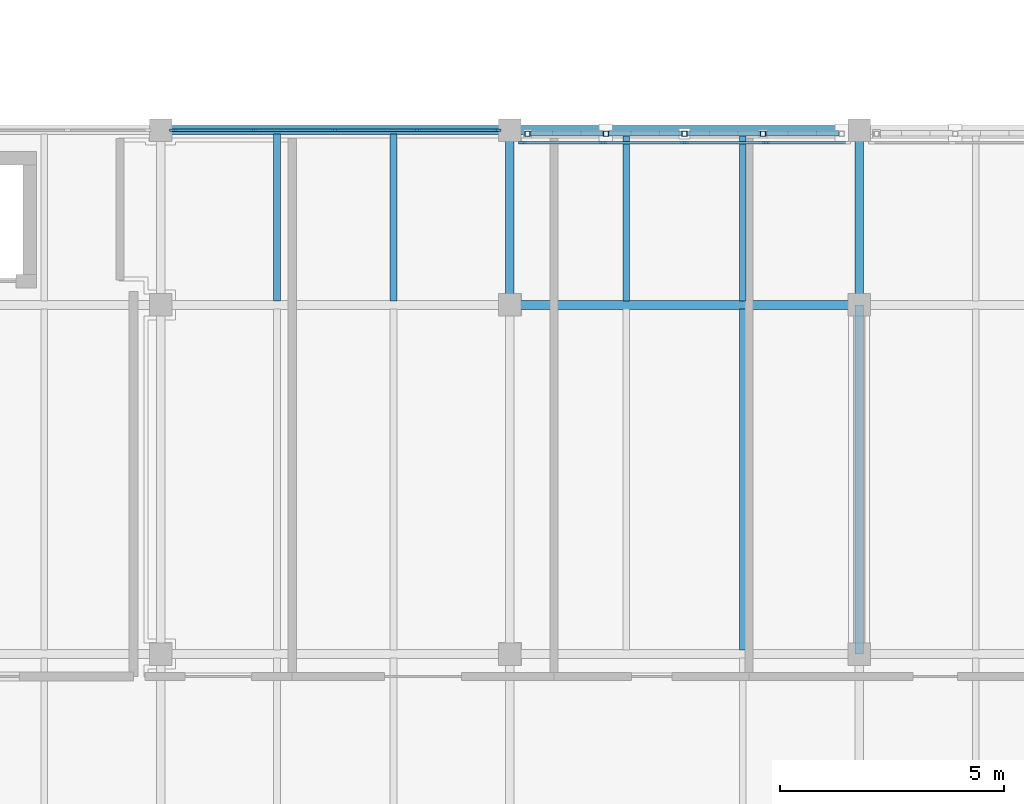
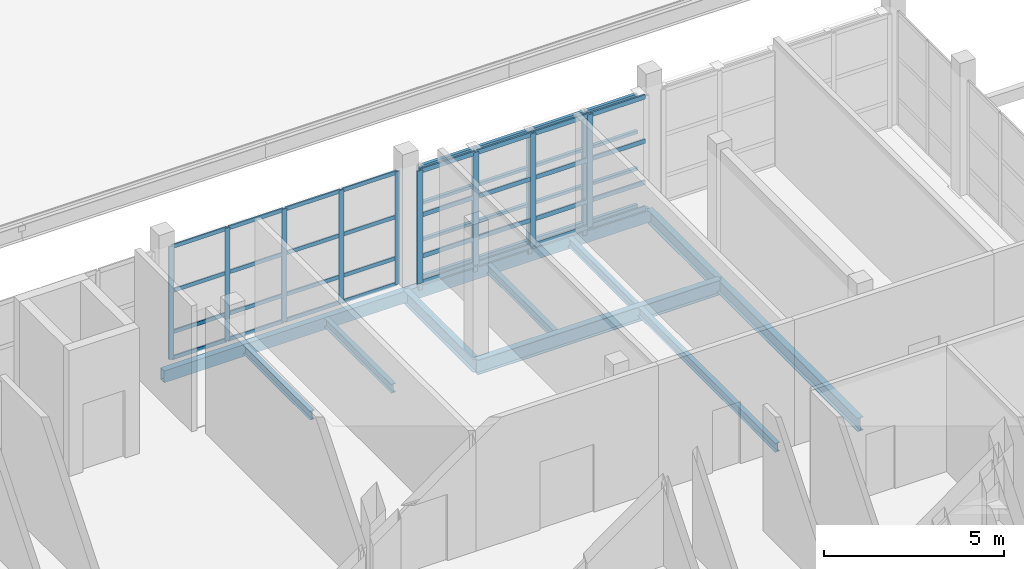
# One storey, part 7 of 89: 61 members, 11 beams, 2 elements without a shape of their own.
"""IFC4 building model written with IfcOpenShell, lengths in metres."""

from ifc_helpers import new_model, si_unit, direction, frame, origin, origin_2d, place, context, subcontext, project, spatial, rectangle, hollow_rectangle, i_section, extrude, material, layer, layer_set, material_profile, profile_set, type_object, element, aggregate, save


model = new_model("IFC4")

# Units and contexts
model_context = context("Model", 3, precision=1e-05, world=origin(), true_north=direction((0.0, 1.0)))
body_context = subcontext(model_context, "Body", "Model", "MODEL_VIEW")
ifc_project = project(units=[si_unit("LENGTHUNIT", "METRE"), si_unit("AREAUNIT", "SQUARE_METRE"), si_unit("VOLUMEUNIT", "CUBIC_METRE"), si_unit("PLANEANGLEUNIT", "RADIAN"), si_unit("MASSUNIT", "GRAM", prefix="KILO")], contexts=[model_context])

# Site, building, storey
site_placement = place(None, origin())
site = spatial("IfcSite", under=ifc_project, at=site_placement, CompositionType="ELEMENT")
building_placement = place(site_placement, origin())
building = spatial("IfcBuilding", under=site, at=building_placement, Name="Celorna Specialist Clinic", CompositionType="ELEMENT")
storey_placement = place(building_placement, frame((0.0, 0.0, 14.10009765625)))
storey = spatial("IfcBuildingStorey", under=building, at=storey_placement, Name="L03", CompositionType="ELEMENT", Elevation=14.10009765625)

# Beams
ifc_material_1 = material(Name="Steel S355", Category="steel")
ifc_material_profile_1 = material_profile(ifc_material_1, i_section(OverallWidth=0.199951171875, OverallDepth=0.5, WebThickness=0.01025390625, FlangeThickness=0.01611328125, at=origin_2d()), Name="IPE 500")
ifc_profile_set_1 = profile_set([ifc_material_profile_1], Name="Steel S355")
beam_type_1 = type_object("IfcBeamType", Name="BM-08", PredefinedType="BEAM", material=ifc_profile_set_1)
beam_1_placement = place(storey_placement, frame((23.39990234375, 23.39990234375, -0.510009765625), z_axis=(1.0, 0.0, 0.0), x_axis=(0.0, 1.0, 0.0)))
element("IfcBeam", 1, at=beam_1_placement, inside=storey, type_object=beam_type_1, Name="Primary girder BM-08 #1848", PredefinedType="BEAM", context=body_context, shape_type="SweptSolid", body=[
    extrude(i_section(OverallWidth=0.199951171875, OverallDepth=0.5, WebThickness=0.01025390625, FlangeThickness=0.01611328125, at=origin_2d()), origin(), (0.0, 0.0, 1.0), 7.800048828125),
])
ifc_material_profile_2 = material_profile(ifc_material_1, i_section(OverallWidth=0.18994140625, OverallDepth=0.449951171875, WebThickness=0.009521484375, FlangeThickness=0.0146484375, at=origin_2d()), Name="IPE 450")
ifc_profile_set_2 = profile_set([ifc_material_profile_2], Name="Steel S355")
beam_type_2 = type_object("IfcBeamType", Name="BM-09", PredefinedType="BEAM", material=ifc_profile_set_2)
beam_2_placement = place(storey_placement, frame((23.39990234375, 23.39990234375, -0.485107421875), z_axis=(0.0, 1.0, 0.0), x_axis=(-1.0, 0.0, 0.0)))
element("IfcBeam", 2, at=beam_2_placement, inside=storey, type_object=beam_type_2, Name="Transverse girder BM-09 #1874", PredefinedType="BEAM", context=body_context, shape_type="SweptSolid", body=[
    extrude(i_section(OverallWidth=0.18994140625, OverallDepth=0.449951171875, WebThickness=0.009521484375, FlangeThickness=0.0146484375, at=origin_2d()), origin(), (0.0, 0.0, 1.0), 3.900146484375),
])
beam_3_placement = place(storey_placement, frame((31.199951171875, 15.60009765625, -0.485107421875), z_axis=(0.0, 1.0, 0.0), x_axis=(-1.0, 0.0, 0.0)))
element("IfcBeam", 3, at=beam_3_placement, inside=storey, type_object=beam_type_2, Name="Transverse girder BM-09 #1878", PredefinedType="BEAM", context=body_context, shape_type="SweptSolid", body=[
    extrude(i_section(OverallWidth=0.18994140625, OverallDepth=0.449951171875, WebThickness=0.009521484375, FlangeThickness=0.0146484375, at=origin_2d()), origin(), (0.0, 0.0, 1.0), 7.7998046875),
])
beam_4_placement = place(storey_placement, frame((31.199951171875, 23.39990234375, -0.485107421875), z_axis=(0.0, 1.0, 0.0), x_axis=(-1.0, 0.0, 0.0)))
element("IfcBeam", 4, at=beam_4_placement, inside=storey, type_object=beam_type_2, Name="Transverse girder BM-09 #1879", PredefinedType="BEAM", context=body_context, shape_type="SweptSolid", body=[
    extrude(i_section(OverallWidth=0.18994140625, OverallDepth=0.449951171875, WebThickness=0.009521484375, FlangeThickness=0.0146484375, at=origin_2d()), origin(), (0.0, 0.0, 1.0), 3.900146484375),
])
ifc_material_profile_3 = material_profile(ifc_material_1, i_section(OverallWidth=0.14990234375, OverallDepth=0.300048828125, WebThickness=0.007080078125, FlangeThickness=0.0107421875, at=origin_2d()), Name="IPE 300")
ifc_profile_set_3 = profile_set([ifc_material_profile_3], Name="Steel S355")
beam_type_3 = type_object("IfcBeamType", Name="BM-13", PredefinedType="JOIST", material=ifc_profile_set_3)
for number, where, z_axis, x_axis, name in (
    (5, (18.199951171875, 23.488037109375, -0.41015625), (0.0, 1.0, 0.0), (-1.0, 0.0, 0.0), "Secondary floor joist BM-13 #1911"),
    (6, (20.800048828125, 23.488037109375, -0.41015625), (0.0, 1.0, 0.0), (-1.0, 0.0, 0.0), "Secondary floor joist BM-13 #1912"),
):
    element("IfcBeam", number, at=place(storey_placement, frame(where, z_axis=z_axis, x_axis=x_axis)), inside=storey, type_object=beam_type_3, Name=name, PredefinedType="JOIST", context=body_context, shape_type="SweptSolid", body=[
        extrude(i_section(OverallWidth=0.14990234375, OverallDepth=0.300048828125, WebThickness=0.007080078125, FlangeThickness=0.0107421875, at=origin_2d()), origin(), (0.0, 0.0, 1.0), 3.723876953125),
    ])
beam_5_placement = place(storey_placement, frame((28.60009765625, 15.68798828125, -0.41015625), z_axis=(0.0, 1.0, 0.0), x_axis=(-1.0, 0.0, 0.0)))
element("IfcBeam", 7, at=beam_5_placement, inside=storey, type_object=beam_type_3, Name="Secondary floor joist BM-13 #1917", PredefinedType="JOIST", context=body_context, shape_type="SweptSolid", body=[
    extrude(i_section(OverallWidth=0.14990234375, OverallDepth=0.300048828125, WebThickness=0.007080078125, FlangeThickness=0.0107421875, at=origin_2d()), origin(), (0.0, 0.0, 1.0), 7.6240234375),
])
for number, where, z_axis, x_axis, name in (
    (8, (26.0, 23.488037109375, -0.41015625), (0.0, 1.0, 0.0), (-1.0, 0.0, 0.0), "Secondary floor joist BM-13 #1918"),
    (9, (28.60009765625, 23.488037109375, -0.41015625), (0.0, 1.0, 0.0), (-1.0, 0.0, 0.0), "Secondary floor joist BM-13 #1919"),
):
    element("IfcBeam", number, at=place(storey_placement, frame(where, z_axis=z_axis, x_axis=x_axis)), inside=storey, type_object=beam_type_3, Name=name, PredefinedType="JOIST", context=body_context, shape_type="SweptSolid", body=[
        extrude(i_section(OverallWidth=0.14990234375, OverallDepth=0.300048828125, WebThickness=0.007080078125, FlangeThickness=0.0107421875, at=origin_2d()), origin(), (0.0, 0.0, 1.0), 3.723876953125),
    ])
ifc_material_profile_4 = material_profile(ifc_material_1, hollow_rectangle(XDim=0.199951171875, YDim=0.39990234375, WallThickness=0.011962890625, at=origin_2d()), Name="RHS 200x400x12")
ifc_profile_set_4 = profile_set([ifc_material_profile_4], Name="Steel S355")
beam_type_4 = type_object("IfcBeamType", Name="BM-15", PredefinedType="SPANDREL", material=ifc_profile_set_4)
beam_6_placement = place(storey_placement, frame((15.60009765625, 27.300048828125, -0.460205078125), z_axis=(1.0, 0.0, 0.0), x_axis=(0.0, 1.0, 0.0)))
element("IfcBeam", 10, at=beam_6_placement, inside=storey, type_object=beam_type_4, Name="Spandrel beam BM-15 #1852", PredefinedType="SPANDREL", context=body_context, shape_type="SweptSolid", body=[
    extrude(hollow_rectangle(XDim=0.199951171875, YDim=0.39990234375, WallThickness=0.011962890625, at=origin_2d()), origin(), (0.0, 0.0, 1.0), 7.7998046875),
])
beam_7_placement = place(storey_placement, frame((23.39990234375, 27.300048828125, -0.460205078125), z_axis=(1.0, 0.0, 0.0), x_axis=(0.0, 1.0, 0.0)))
element("IfcBeam", 11, at=beam_7_placement, inside=storey, type_object=beam_type_4, Name="Spandrel beam BM-15 #1853", PredefinedType="SPANDREL", context=body_context, shape_type="SweptSolid", body=[
    extrude(hollow_rectangle(XDim=0.199951171875, YDim=0.39990234375, WallThickness=0.011962890625, at=origin_2d()), origin(), (0.0, 0.0, 1.0), 7.800048828125),
])

# Members
ifc_material_profile_5 = material_profile(ifc_material_1, hollow_rectangle(XDim=0.1201171875, YDim=0.1201171875, WallThickness=0.008056640625, at=origin_2d()), Name="SHS 120x120x8")
ifc_profile_set_5 = profile_set([ifc_material_profile_5], Name="Steel S355")
member_type_1 = type_object("IfcMemberType", Name="MB-11", PredefinedType="STUD", material=ifc_profile_set_5)
for number, where, z_axis, x_axis, name in (
    (12, (23.7900390625, 27.219970703125, -0.360107421875), (0.0, 0.0, 1.0), (1.0, 0.0, 0.0), "Perforated screen steel post #1815"),
    (13, (25.544921875, 27.219970703125, -0.360107421875), (0.0, 0.0, 1.0), (1.0, 0.0, 0.0), "Perforated screen steel post #1816"),
    (14, (27.300048828125, 27.219970703125, -0.360107421875), (0.0, 0.0, 1.0), (1.0, 0.0, 0.0), "Perforated screen steel post #1817"),
    (15, (29.054931640625, 27.219970703125, -0.360107421875), (0.0, 0.0, 1.0), (1.0, 0.0, 0.0), "Perforated screen steel post #1818"),
):
    element("IfcMember", number, at=place(storey_placement, frame(where, z_axis=z_axis, x_axis=x_axis)), inside=storey, type_object=member_type_1, Name=name, PredefinedType="STUD", context=body_context, shape_type="SweptSolid", body=[
        extrude(hollow_rectangle(XDim=0.1201171875, YDim=0.1201171875, WallThickness=0.008056640625, at=origin_2d()), origin(), (0.0, 0.0, 1.0), 4.199951171875),
    ])
ifc_material_profile_6 = material_profile(ifc_material_1, hollow_rectangle(XDim=0.10009765625, YDim=0.10009765625, WallThickness=0.006103515625, at=origin_2d()), Name="SHS 100x100x6")
ifc_profile_set_6 = profile_set([ifc_material_profile_6], Name="Steel S355")
member_type_2 = type_object("IfcMemberType", Name="MB-12", PredefinedType="STUD", material=ifc_profile_set_6)
for number, where, z_axis, x_axis, name in (
    (16, (23.85009765625, 27.219970703125, 0.0498046875), (1.0, 0.0, 0.0), (0.0, 1.0, 0.0), "Perforated screen rail #1820"),
    (17, (23.85009765625, 27.219970703125, 1.296630859375), (1.0, 0.0, 0.0), (0.0, 1.0, 0.0), "Perforated screen rail #1821"),
    (18, (23.85009765625, 27.219970703125, 2.543212890625), (1.0, 0.0, 0.0), (0.0, 1.0, 0.0), "Perforated screen rail #1822"),
    (19, (23.85009765625, 27.219970703125, 3.789794921875), (1.0, 0.0, 0.0), (0.0, 1.0, 0.0), "Perforated screen rail #1823"),
    (20, (25.60498046875, 27.219970703125, 0.0498046875), (1.0, 0.0, 0.0), (0.0, 1.0, 0.0), "Perforated screen rail #1824"),
    (21, (25.60498046875, 27.219970703125, 1.296630859375), (1.0, 0.0, 0.0), (0.0, 1.0, 0.0), "Perforated screen rail #1825"),
    (22, (25.60498046875, 27.219970703125, 2.543212890625), (1.0, 0.0, 0.0), (0.0, 1.0, 0.0), "Perforated screen rail #1826"),
    (23, (25.60498046875, 27.219970703125, 3.789794921875), (1.0, 0.0, 0.0), (0.0, 1.0, 0.0), "Perforated screen rail #1827"),
    (24, (27.360107421875, 27.219970703125, 0.0498046875), (1.0, 0.0, 0.0), (0.0, 1.0, 0.0), "Perforated screen rail #1828"),
    (25, (27.360107421875, 27.219970703125, 1.296630859375), (1.0, 0.0, 0.0), (0.0, 1.0, 0.0), "Perforated screen rail #1829"),
    (26, (27.360107421875, 27.219970703125, 2.543212890625), (1.0, 0.0, 0.0), (0.0, 1.0, 0.0), "Perforated screen rail #1830"),
    (27, (27.360107421875, 27.219970703125, 3.789794921875), (1.0, 0.0, 0.0), (0.0, 1.0, 0.0), "Perforated screen rail #1831"),
    (28, (29.114990234375, 27.219970703125, 0.0498046875), (1.0, 0.0, 0.0), (0.0, 1.0, 0.0), "Perforated screen rail #1832"),
    (29, (29.114990234375, 27.219970703125, 1.296630859375), (1.0, 0.0, 0.0), (0.0, 1.0, 0.0), "Perforated screen rail #1833"),
    (30, (29.114990234375, 27.219970703125, 2.543212890625), (1.0, 0.0, 0.0), (0.0, 1.0, 0.0), "Perforated screen rail #1834"),
    (31, (29.114990234375, 27.219970703125, 3.789794921875), (1.0, 0.0, 0.0), (0.0, 1.0, 0.0), "Perforated screen rail #1835"),
):
    element("IfcMember", number, at=place(storey_placement, frame(where, z_axis=z_axis, x_axis=x_axis)), inside=storey, type_object=member_type_2, Name=name, PredefinedType="STUD", context=body_context, shape_type="SweptSolid", body=[
        extrude(hollow_rectangle(XDim=0.10009765625, YDim=0.10009765625, WallThickness=0.006103515625, at=origin_2d()), origin(), (0.0, 0.0, 1.0), 1.635009765625),
    ])

# Curtain wall, members
ifc_material_2 = material(Name="Thermally broken aluminium and solar-control glass curtain wall", Category="aluminium")
ifc_layer_1 = layer(ifc_material_2, 0.159912109375, Name="Thermally broken aluminium and solar-control glass curtain wall")
ifc_layer_set_1 = layer_set([ifc_layer_1], Name="Thermally broken aluminium and solar-control glass curtain wall")
curtain_wall_type_1 = type_object("IfcCurtainWallType", Name="CW-96", PredefinedType="NOTDEFINED", material=ifc_layer_set_1)
curtain_wall_1_placement = place(storey_placement, origin())
curtain_wall_1 = element("IfcCurtainWall", 32, at=curtain_wall_1_placement, inside=storey, type_object=curtain_wall_type_1, Name="Curtain wall CW-96 #172", PredefinedType="NOTDEFINED")
ifc_material_3 = material(Name="Anodized aluminium mullion", Category="aluminium")
ifc_material_profile_7 = material_profile(ifc_material_3, rectangle(XDim=0.050048828125, YDim=0.159912109375, at=origin_2d()), Name="ALU MULLION 50x160")
ifc_profile_set_7 = profile_set([ifc_material_profile_7], Name="Anodized aluminium mullion")
member_type_3 = type_object("IfcMemberType", Name="ML-01", PredefinedType="MULLION", material=ifc_profile_set_7)
member_1_placement = place(storey_placement, frame((15.87890625, 27.300048828125, 0.0), z_axis=(0.0, 0.0, 1.0), x_axis=(0.0, 1.0, 0.0)))
member_1 = element("IfcMember", 33, at=member_1_placement, type_object=member_type_3, Name="CW-96 mullion 1", PredefinedType="MULLION", context=body_context, shape_type="SweptSolid", body=[
    extrude(rectangle(XDim=0.050048828125, YDim=0.159912109375, at=origin_2d()), origin(), (0.0, 0.0, 1.0), 3.81982421875),
])
member_2_placement = place(storey_placement, frame((17.677001953125, 27.300048828125, 0.0), z_axis=(0.0, 0.0, 1.0), x_axis=(0.0, 1.0, 0.0)))
member_2 = element("IfcMember", 34, at=member_2_placement, type_object=member_type_3, Name="CW-96 mullion 2", PredefinedType="MULLION", context=body_context, shape_type="SweptSolid", body=[
    extrude(rectangle(XDim=0.050048828125, YDim=0.159912109375, at=origin_2d()), origin(), (0.0, 0.0, 1.0), 3.81982421875),
])
member_3_placement = place(storey_placement, frame((19.5, 27.300048828125, 0.0), z_axis=(0.0, 0.0, 1.0), x_axis=(0.0, 1.0, 0.0)))
member_3 = element("IfcMember", 35, at=member_3_placement, type_object=member_type_3, Name="CW-96 mullion 3", PredefinedType="MULLION", context=body_context, shape_type="SweptSolid", body=[
    extrude(rectangle(XDim=0.050048828125, YDim=0.159912109375, at=origin_2d()), origin(), (0.0, 0.0, 1.0), 3.81982421875),
])
member_4_placement = place(storey_placement, frame((21.322998046875, 27.300048828125, 0.0), z_axis=(0.0, 0.0, 1.0), x_axis=(0.0, 1.0, 0.0)))
member_4 = element("IfcMember", 36, at=member_4_placement, type_object=member_type_3, Name="CW-96 mullion 4", PredefinedType="MULLION", context=body_context, shape_type="SweptSolid", body=[
    extrude(rectangle(XDim=0.050048828125, YDim=0.159912109375, at=origin_2d()), origin(), (0.0, 0.0, 1.0), 3.81982421875),
])
member_5_placement = place(storey_placement, frame((23.12109375, 27.300048828125, 0.0), z_axis=(0.0, 0.0, 1.0), x_axis=(0.0, 1.0, 0.0)))
member_5 = element("IfcMember", 37, at=member_5_placement, type_object=member_type_3, Name="CW-96 mullion 5", PredefinedType="MULLION", context=body_context, shape_type="SweptSolid", body=[
    extrude(rectangle(XDim=0.050048828125, YDim=0.159912109375, at=origin_2d()), origin(), (0.0, 0.0, 1.0), 3.81982421875),
])

ifc_layer_2 = layer(ifc_material_2, 0.159912109375, Name="Thermally broken aluminium and solar-control glass curtain wall")
ifc_layer_set_2 = layer_set([ifc_layer_2], Name="Thermally broken aluminium and solar-control glass curtain wall")
curtain_wall_type_2 = type_object("IfcCurtainWallType", Name="CW-94", PredefinedType="NOTDEFINED", material=ifc_layer_set_2)
curtain_wall_2_placement = place(storey_placement, origin())
curtain_wall_2 = element("IfcCurtainWall", 38, at=curtain_wall_2_placement, inside=storey, type_object=curtain_wall_type_2, Name="Curtain wall CW-94 #173", PredefinedType="NOTDEFINED")
ifc_material_profile_8 = material_profile(ifc_material_3, rectangle(XDim=0.050048828125, YDim=0.179931640625, at=origin_2d()), Name="ALU MULLION 50x180")
ifc_profile_set_8 = profile_set([ifc_material_profile_8], Name="Anodized aluminium mullion")
member_type_4 = type_object("IfcMemberType", Name="ML-02", PredefinedType="MULLION", material=ifc_profile_set_8)
member_6_placement = place(storey_placement, frame((23.678955078125, 27.02001953125, 0.0), z_axis=(0.0, 0.0, 1.0), x_axis=(0.0, 1.0, 0.0)))
member_6 = element("IfcMember", 39, at=member_6_placement, type_object=member_type_4, Name="CW-94 mullion 1", PredefinedType="MULLION", context=body_context, shape_type="SweptSolid", body=[
    extrude(rectangle(XDim=0.050048828125, YDim=0.179931640625, at=origin_2d()), origin(), (0.0, 0.0, 1.0), 3.81982421875),
])
member_7_placement = place(storey_placement, frame((25.47705078125, 27.02001953125, 0.0), z_axis=(0.0, 0.0, 1.0), x_axis=(0.0, 1.0, 0.0)))
member_7 = element("IfcMember", 40, at=member_7_placement, type_object=member_type_4, Name="CW-94 mullion 2", PredefinedType="MULLION", context=body_context, shape_type="SweptSolid", body=[
    extrude(rectangle(XDim=0.050048828125, YDim=0.179931640625, at=origin_2d()), origin(), (0.0, 0.0, 1.0), 3.81982421875),
])
member_8_placement = place(storey_placement, frame((27.300048828125, 27.02001953125, 0.0), z_axis=(0.0, 0.0, 1.0), x_axis=(0.0, 1.0, 0.0)))
member_8 = element("IfcMember", 41, at=member_8_placement, type_object=member_type_4, Name="CW-94 mullion 3", PredefinedType="MULLION", context=body_context, shape_type="SweptSolid", body=[
    extrude(rectangle(XDim=0.050048828125, YDim=0.179931640625, at=origin_2d()), origin(), (0.0, 0.0, 1.0), 3.81982421875),
])
member_9_placement = place(storey_placement, frame((29.123046875, 27.02001953125, 0.0), z_axis=(0.0, 0.0, 1.0), x_axis=(0.0, 1.0, 0.0)))
member_9 = element("IfcMember", 42, at=member_9_placement, type_object=member_type_4, Name="CW-94 mullion 4", PredefinedType="MULLION", context=body_context, shape_type="SweptSolid", body=[
    extrude(rectangle(XDim=0.050048828125, YDim=0.179931640625, at=origin_2d()), origin(), (0.0, 0.0, 1.0), 3.81982421875),
])

# Member
ifc_material_4 = material(Name="Anodized aluminium transom", Category="aluminium")
ifc_material_profile_9 = material_profile(ifc_material_4, rectangle(XDim=0.050048828125, YDim=0.1298828125, at=origin_2d()), Name="ALU TRANSOM 50x130")
ifc_profile_set_9 = profile_set([ifc_material_profile_9], Name="Anodized aluminium transom")
member_type_5 = type_object("IfcMemberType", Name="TR-01", PredefinedType="USERDEFINED", material=ifc_profile_set_9)
member_10_placement = place(storey_placement, frame((15.904052734375, 27.300048828125, 0.02490234375), z_axis=(1.0, 0.0, 0.0), x_axis=(0.0, 1.0, 0.0)))
member_10 = element("IfcMember", 43, at=member_10_placement, type_object=member_type_5, Name="CW-96 transom 1.1", ObjectType="TRANSOM", PredefinedType="USERDEFINED", context=body_context, shape_type="SweptSolid", body=[
    extrude(rectangle(XDim=0.050048828125, YDim=0.1298828125, at=origin_2d()), origin(), (0.0, 0.0, 1.0), 1.748046875),
])

member_11_placement = place(storey_placement, frame((15.904052734375, 27.300048828125, 0.89990234375), z_axis=(1.0, 0.0, 0.0), x_axis=(0.0, 1.0, 0.0)))
member_11 = element("IfcMember", 44, at=member_11_placement, type_object=member_type_5, Name="CW-96 transom 1.2", ObjectType="TRANSOM", PredefinedType="USERDEFINED", context=body_context, shape_type="SweptSolid", body=[
    extrude(rectangle(XDim=0.050048828125, YDim=0.1298828125, at=origin_2d()), origin(), (0.0, 0.0, 1.0), 1.748046875),
])

member_12_placement = place(storey_placement, frame((15.904052734375, 27.300048828125, 2.2998046875), z_axis=(1.0, 0.0, 0.0), x_axis=(0.0, 1.0, 0.0)))
member_12 = element("IfcMember", 45, at=member_12_placement, type_object=member_type_5, Name="CW-96 transom 1.3", ObjectType="TRANSOM", PredefinedType="USERDEFINED", context=body_context, shape_type="SweptSolid", body=[
    extrude(rectangle(XDim=0.050048828125, YDim=0.1298828125, at=origin_2d()), origin(), (0.0, 0.0, 1.0), 1.748046875),
])

member_13_placement = place(storey_placement, frame((15.904052734375, 27.300048828125, 3.794921875), z_axis=(1.0, 0.0, 0.0), x_axis=(0.0, 1.0, 0.0)))
member_13 = element("IfcMember", 46, at=member_13_placement, type_object=member_type_5, Name="CW-96 transom 1.4", ObjectType="TRANSOM", PredefinedType="USERDEFINED", context=body_context, shape_type="SweptSolid", body=[
    extrude(rectangle(XDim=0.050048828125, YDim=0.1298828125, at=origin_2d()), origin(), (0.0, 0.0, 1.0), 1.748046875),
])

member_14_placement = place(storey_placement, frame((17.701904296875, 27.300048828125, 0.02490234375), z_axis=(1.0, 0.0, 0.0), x_axis=(0.0, 1.0, 0.0)))
member_14 = element("IfcMember", 47, at=member_14_placement, type_object=member_type_5, Name="CW-96 transom 2.1", ObjectType="TRANSOM", PredefinedType="USERDEFINED", context=body_context, shape_type="SweptSolid", body=[
    extrude(rectangle(XDim=0.050048828125, YDim=0.1298828125, at=origin_2d()), origin(), (0.0, 0.0, 1.0), 1.773193359375),
])

member_15_placement = place(storey_placement, frame((17.701904296875, 27.300048828125, 0.89990234375), z_axis=(1.0, 0.0, 0.0), x_axis=(0.0, 1.0, 0.0)))
member_15 = element("IfcMember", 48, at=member_15_placement, type_object=member_type_5, Name="CW-96 transom 2.2", ObjectType="TRANSOM", PredefinedType="USERDEFINED", context=body_context, shape_type="SweptSolid", body=[
    extrude(rectangle(XDim=0.050048828125, YDim=0.1298828125, at=origin_2d()), origin(), (0.0, 0.0, 1.0), 1.773193359375),
])

member_16_placement = place(storey_placement, frame((17.701904296875, 27.300048828125, 2.2998046875), z_axis=(1.0, 0.0, 0.0), x_axis=(0.0, 1.0, 0.0)))
member_16 = element("IfcMember", 49, at=member_16_placement, type_object=member_type_5, Name="CW-96 transom 2.3", ObjectType="TRANSOM", PredefinedType="USERDEFINED", context=body_context, shape_type="SweptSolid", body=[
    extrude(rectangle(XDim=0.050048828125, YDim=0.1298828125, at=origin_2d()), origin(), (0.0, 0.0, 1.0), 1.773193359375),
])

member_17_placement = place(storey_placement, frame((17.701904296875, 27.300048828125, 3.794921875), z_axis=(1.0, 0.0, 0.0), x_axis=(0.0, 1.0, 0.0)))
member_17 = element("IfcMember", 50, at=member_17_placement, type_object=member_type_5, Name="CW-96 transom 2.4", ObjectType="TRANSOM", PredefinedType="USERDEFINED", context=body_context, shape_type="SweptSolid", body=[
    extrude(rectangle(XDim=0.050048828125, YDim=0.1298828125, at=origin_2d()), origin(), (0.0, 0.0, 1.0), 1.773193359375),
])

member_18_placement = place(storey_placement, frame((19.52490234375, 27.300048828125, 0.02490234375), z_axis=(1.0, 0.0, 0.0), x_axis=(0.0, 1.0, 0.0)))
member_18 = element("IfcMember", 51, at=member_18_placement, type_object=member_type_5, Name="CW-96 transom 3.1", ObjectType="TRANSOM", PredefinedType="USERDEFINED", context=body_context, shape_type="SweptSolid", body=[
    extrude(rectangle(XDim=0.050048828125, YDim=0.1298828125, at=origin_2d()), origin(), (0.0, 0.0, 1.0), 1.773193359375),
])

member_19_placement = place(storey_placement, frame((19.52490234375, 27.300048828125, 0.89990234375), z_axis=(1.0, 0.0, 0.0), x_axis=(0.0, 1.0, 0.0)))
member_19 = element("IfcMember", 52, at=member_19_placement, type_object=member_type_5, Name="CW-96 transom 3.2", ObjectType="TRANSOM", PredefinedType="USERDEFINED", context=body_context, shape_type="SweptSolid", body=[
    extrude(rectangle(XDim=0.050048828125, YDim=0.1298828125, at=origin_2d()), origin(), (0.0, 0.0, 1.0), 1.773193359375),
])

member_20_placement = place(storey_placement, frame((19.52490234375, 27.300048828125, 2.2998046875), z_axis=(1.0, 0.0, 0.0), x_axis=(0.0, 1.0, 0.0)))
member_20 = element("IfcMember", 53, at=member_20_placement, type_object=member_type_5, Name="CW-96 transom 3.3", ObjectType="TRANSOM", PredefinedType="USERDEFINED", context=body_context, shape_type="SweptSolid", body=[
    extrude(rectangle(XDim=0.050048828125, YDim=0.1298828125, at=origin_2d()), origin(), (0.0, 0.0, 1.0), 1.773193359375),
])

member_21_placement = place(storey_placement, frame((19.52490234375, 27.300048828125, 3.794921875), z_axis=(1.0, 0.0, 0.0), x_axis=(0.0, 1.0, 0.0)))
member_21 = element("IfcMember", 54, at=member_21_placement, type_object=member_type_5, Name="CW-96 transom 3.4", ObjectType="TRANSOM", PredefinedType="USERDEFINED", context=body_context, shape_type="SweptSolid", body=[
    extrude(rectangle(XDim=0.050048828125, YDim=0.1298828125, at=origin_2d()), origin(), (0.0, 0.0, 1.0), 1.773193359375),
])

member_22_placement = place(storey_placement, frame((21.347900390625, 27.300048828125, 0.02490234375), z_axis=(1.0, 0.0, 0.0), x_axis=(0.0, 1.0, 0.0)))
member_22 = element("IfcMember", 55, at=member_22_placement, type_object=member_type_5, Name="CW-96 transom 4.1", ObjectType="TRANSOM", PredefinedType="USERDEFINED", context=body_context, shape_type="SweptSolid", body=[
    extrude(rectangle(XDim=0.050048828125, YDim=0.1298828125, at=origin_2d()), origin(), (0.0, 0.0, 1.0), 1.748046875),
])

member_23_placement = place(storey_placement, frame((21.347900390625, 27.300048828125, 0.89990234375), z_axis=(1.0, 0.0, 0.0), x_axis=(0.0, 1.0, 0.0)))
member_23 = element("IfcMember", 56, at=member_23_placement, type_object=member_type_5, Name="CW-96 transom 4.2", ObjectType="TRANSOM", PredefinedType="USERDEFINED", context=body_context, shape_type="SweptSolid", body=[
    extrude(rectangle(XDim=0.050048828125, YDim=0.1298828125, at=origin_2d()), origin(), (0.0, 0.0, 1.0), 1.748046875),
])

member_24_placement = place(storey_placement, frame((21.347900390625, 27.300048828125, 2.2998046875), z_axis=(1.0, 0.0, 0.0), x_axis=(0.0, 1.0, 0.0)))
member_24 = element("IfcMember", 57, at=member_24_placement, type_object=member_type_5, Name="CW-96 transom 4.3", ObjectType="TRANSOM", PredefinedType="USERDEFINED", context=body_context, shape_type="SweptSolid", body=[
    extrude(rectangle(XDim=0.050048828125, YDim=0.1298828125, at=origin_2d()), origin(), (0.0, 0.0, 1.0), 1.748046875),
])

member_25_placement = place(storey_placement, frame((21.347900390625, 27.300048828125, 3.794921875), z_axis=(1.0, 0.0, 0.0), x_axis=(0.0, 1.0, 0.0)))
member_25 = element("IfcMember", 58, at=member_25_placement, type_object=member_type_5, Name="CW-96 transom 4.4", ObjectType="TRANSOM", PredefinedType="USERDEFINED", context=body_context, shape_type="SweptSolid", body=[
    extrude(rectangle(XDim=0.050048828125, YDim=0.1298828125, at=origin_2d()), origin(), (0.0, 0.0, 1.0), 1.748046875),
])

aggregate(curtain_wall_1, [member_1, member_2, member_3, member_4, member_5, member_10, member_11, member_12, member_13, member_14, member_15, member_16, member_17, member_18, member_19, member_20, member_21, member_22, member_23, member_24, member_25])

ifc_material_profile_10 = material_profile(ifc_material_4, rectangle(XDim=0.050048828125, YDim=0.14990234375, at=origin_2d()), Name="ALU TRANSOM 50x150")
ifc_profile_set_10 = profile_set([ifc_material_profile_10], Name="Anodized aluminium transom")
member_type_6 = type_object("IfcMemberType", Name="TR-02", PredefinedType="USERDEFINED", material=ifc_profile_set_10)
member_26_placement = place(storey_placement, frame((23.7041015625, 27.02001953125, 0.02490234375), z_axis=(1.0, 0.0, 0.0), x_axis=(0.0, 1.0, 0.0)))
member_26 = element("IfcMember", 59, at=member_26_placement, type_object=member_type_6, Name="CW-94 transom 1.1", ObjectType="TRANSOM", PredefinedType="USERDEFINED", context=body_context, shape_type="SweptSolid", body=[
    extrude(rectangle(XDim=0.050048828125, YDim=0.14990234375, at=origin_2d()), origin(), (0.0, 0.0, 1.0), 1.747802734375),
])

member_27_placement = place(storey_placement, frame((23.7041015625, 27.02001953125, 0.89990234375), z_axis=(1.0, 0.0, 0.0), x_axis=(0.0, 1.0, 0.0)))
member_27 = element("IfcMember", 60, at=member_27_placement, type_object=member_type_6, Name="CW-94 transom 1.2", ObjectType="TRANSOM", PredefinedType="USERDEFINED", context=body_context, shape_type="SweptSolid", body=[
    extrude(rectangle(XDim=0.050048828125, YDim=0.14990234375, at=origin_2d()), origin(), (0.0, 0.0, 1.0), 1.747802734375),
])

member_28_placement = place(storey_placement, frame((23.7041015625, 27.02001953125, 2.2998046875), z_axis=(1.0, 0.0, 0.0), x_axis=(0.0, 1.0, 0.0)))
member_28 = element("IfcMember", 61, at=member_28_placement, type_object=member_type_6, Name="CW-94 transom 1.3", ObjectType="TRANSOM", PredefinedType="USERDEFINED", context=body_context, shape_type="SweptSolid", body=[
    extrude(rectangle(XDim=0.050048828125, YDim=0.14990234375, at=origin_2d()), origin(), (0.0, 0.0, 1.0), 1.747802734375),
])

member_29_placement = place(storey_placement, frame((23.7041015625, 27.02001953125, 3.794921875), z_axis=(1.0, 0.0, 0.0), x_axis=(0.0, 1.0, 0.0)))
member_29 = element("IfcMember", 62, at=member_29_placement, type_object=member_type_6, Name="CW-94 transom 1.4", ObjectType="TRANSOM", PredefinedType="USERDEFINED", context=body_context, shape_type="SweptSolid", body=[
    extrude(rectangle(XDim=0.050048828125, YDim=0.14990234375, at=origin_2d()), origin(), (0.0, 0.0, 1.0), 1.747802734375),
])

member_30_placement = place(storey_placement, frame((25.501953125, 27.02001953125, 0.02490234375), z_axis=(1.0, 0.0, 0.0), x_axis=(0.0, 1.0, 0.0)))
member_30 = element("IfcMember", 63, at=member_30_placement, type_object=member_type_6, Name="CW-94 transom 2.1", ObjectType="TRANSOM", PredefinedType="USERDEFINED", context=body_context, shape_type="SweptSolid", body=[
    extrude(rectangle(XDim=0.050048828125, YDim=0.14990234375, at=origin_2d()), origin(), (0.0, 0.0, 1.0), 1.77294921875),
])

member_31_placement = place(storey_placement, frame((25.501953125, 27.02001953125, 0.89990234375), z_axis=(1.0, 0.0, 0.0), x_axis=(0.0, 1.0, 0.0)))
member_31 = element("IfcMember", 64, at=member_31_placement, type_object=member_type_6, Name="CW-94 transom 2.2", ObjectType="TRANSOM", PredefinedType="USERDEFINED", context=body_context, shape_type="SweptSolid", body=[
    extrude(rectangle(XDim=0.050048828125, YDim=0.14990234375, at=origin_2d()), origin(), (0.0, 0.0, 1.0), 1.77294921875),
])

member_32_placement = place(storey_placement, frame((25.501953125, 27.02001953125, 2.2998046875), z_axis=(1.0, 0.0, 0.0), x_axis=(0.0, 1.0, 0.0)))
member_32 = element("IfcMember", 65, at=member_32_placement, type_object=member_type_6, Name="CW-94 transom 2.3", ObjectType="TRANSOM", PredefinedType="USERDEFINED", context=body_context, shape_type="SweptSolid", body=[
    extrude(rectangle(XDim=0.050048828125, YDim=0.14990234375, at=origin_2d()), origin(), (0.0, 0.0, 1.0), 1.77294921875),
])

member_33_placement = place(storey_placement, frame((25.501953125, 27.02001953125, 3.794921875), z_axis=(1.0, 0.0, 0.0), x_axis=(0.0, 1.0, 0.0)))
member_33 = element("IfcMember", 66, at=member_33_placement, type_object=member_type_6, Name="CW-94 transom 2.4", ObjectType="TRANSOM", PredefinedType="USERDEFINED", context=body_context, shape_type="SweptSolid", body=[
    extrude(rectangle(XDim=0.050048828125, YDim=0.14990234375, at=origin_2d()), origin(), (0.0, 0.0, 1.0), 1.77294921875),
])

member_34_placement = place(storey_placement, frame((27.324951171875, 27.02001953125, 0.02490234375), z_axis=(1.0, 0.0, 0.0), x_axis=(0.0, 1.0, 0.0)))
member_34 = element("IfcMember", 67, at=member_34_placement, type_object=member_type_6, Name="CW-94 transom 3.1", ObjectType="TRANSOM", PredefinedType="USERDEFINED", context=body_context, shape_type="SweptSolid", body=[
    extrude(rectangle(XDim=0.050048828125, YDim=0.14990234375, at=origin_2d()), origin(), (0.0, 0.0, 1.0), 1.77294921875),
])

member_35_placement = place(storey_placement, frame((27.324951171875, 27.02001953125, 0.89990234375), z_axis=(1.0, 0.0, 0.0), x_axis=(0.0, 1.0, 0.0)))
member_35 = element("IfcMember", 68, at=member_35_placement, type_object=member_type_6, Name="CW-94 transom 3.2", ObjectType="TRANSOM", PredefinedType="USERDEFINED", context=body_context, shape_type="SweptSolid", body=[
    extrude(rectangle(XDim=0.050048828125, YDim=0.14990234375, at=origin_2d()), origin(), (0.0, 0.0, 1.0), 1.77294921875),
])

member_36_placement = place(storey_placement, frame((27.324951171875, 27.02001953125, 2.2998046875), z_axis=(1.0, 0.0, 0.0), x_axis=(0.0, 1.0, 0.0)))
member_36 = element("IfcMember", 69, at=member_36_placement, type_object=member_type_6, Name="CW-94 transom 3.3", ObjectType="TRANSOM", PredefinedType="USERDEFINED", context=body_context, shape_type="SweptSolid", body=[
    extrude(rectangle(XDim=0.050048828125, YDim=0.14990234375, at=origin_2d()), origin(), (0.0, 0.0, 1.0), 1.77294921875),
])

member_37_placement = place(storey_placement, frame((27.324951171875, 27.02001953125, 3.794921875), z_axis=(1.0, 0.0, 0.0), x_axis=(0.0, 1.0, 0.0)))
member_37 = element("IfcMember", 70, at=member_37_placement, type_object=member_type_6, Name="CW-94 transom 3.4", ObjectType="TRANSOM", PredefinedType="USERDEFINED", context=body_context, shape_type="SweptSolid", body=[
    extrude(rectangle(XDim=0.050048828125, YDim=0.14990234375, at=origin_2d()), origin(), (0.0, 0.0, 1.0), 1.77294921875),
])

member_38_placement = place(storey_placement, frame((29.14794921875, 27.02001953125, 0.02490234375), z_axis=(1.0, 0.0, 0.0), x_axis=(0.0, 1.0, 0.0)))
member_38 = element("IfcMember", 71, at=member_38_placement, type_object=member_type_6, Name="CW-94 transom 4.1", ObjectType="TRANSOM", PredefinedType="USERDEFINED", context=body_context, shape_type="SweptSolid", body=[
    extrude(rectangle(XDim=0.050048828125, YDim=0.14990234375, at=origin_2d()), origin(), (0.0, 0.0, 1.0), 1.748046875),
])

member_39_placement = place(storey_placement, frame((29.14794921875, 27.02001953125, 0.89990234375), z_axis=(1.0, 0.0, 0.0), x_axis=(0.0, 1.0, 0.0)))
member_39 = element("IfcMember", 72, at=member_39_placement, type_object=member_type_6, Name="CW-94 transom 4.2", ObjectType="TRANSOM", PredefinedType="USERDEFINED", context=body_context, shape_type="SweptSolid", body=[
    extrude(rectangle(XDim=0.050048828125, YDim=0.14990234375, at=origin_2d()), origin(), (0.0, 0.0, 1.0), 1.748046875),
])

member_40_placement = place(storey_placement, frame((29.14794921875, 27.02001953125, 2.2998046875), z_axis=(1.0, 0.0, 0.0), x_axis=(0.0, 1.0, 0.0)))
member_40 = element("IfcMember", 73, at=member_40_placement, type_object=member_type_6, Name="CW-94 transom 4.3", ObjectType="TRANSOM", PredefinedType="USERDEFINED", context=body_context, shape_type="SweptSolid", body=[
    extrude(rectangle(XDim=0.050048828125, YDim=0.14990234375, at=origin_2d()), origin(), (0.0, 0.0, 1.0), 1.748046875),
])

member_41_placement = place(storey_placement, frame((29.14794921875, 27.02001953125, 3.794921875), z_axis=(1.0, 0.0, 0.0), x_axis=(0.0, 1.0, 0.0)))
member_41 = element("IfcMember", 74, at=member_41_placement, type_object=member_type_6, Name="CW-94 transom 4.4", ObjectType="TRANSOM", PredefinedType="USERDEFINED", context=body_context, shape_type="SweptSolid", body=[
    extrude(rectangle(XDim=0.050048828125, YDim=0.14990234375, at=origin_2d()), origin(), (0.0, 0.0, 1.0), 1.748046875),
])

aggregate(curtain_wall_2, [member_6, member_7, member_8, member_9, member_26, member_27, member_28, member_29, member_30, member_31, member_32, member_33, member_34, member_35, member_36, member_37, member_38, member_39, member_40, member_41])

save(model, "model.ifc")
